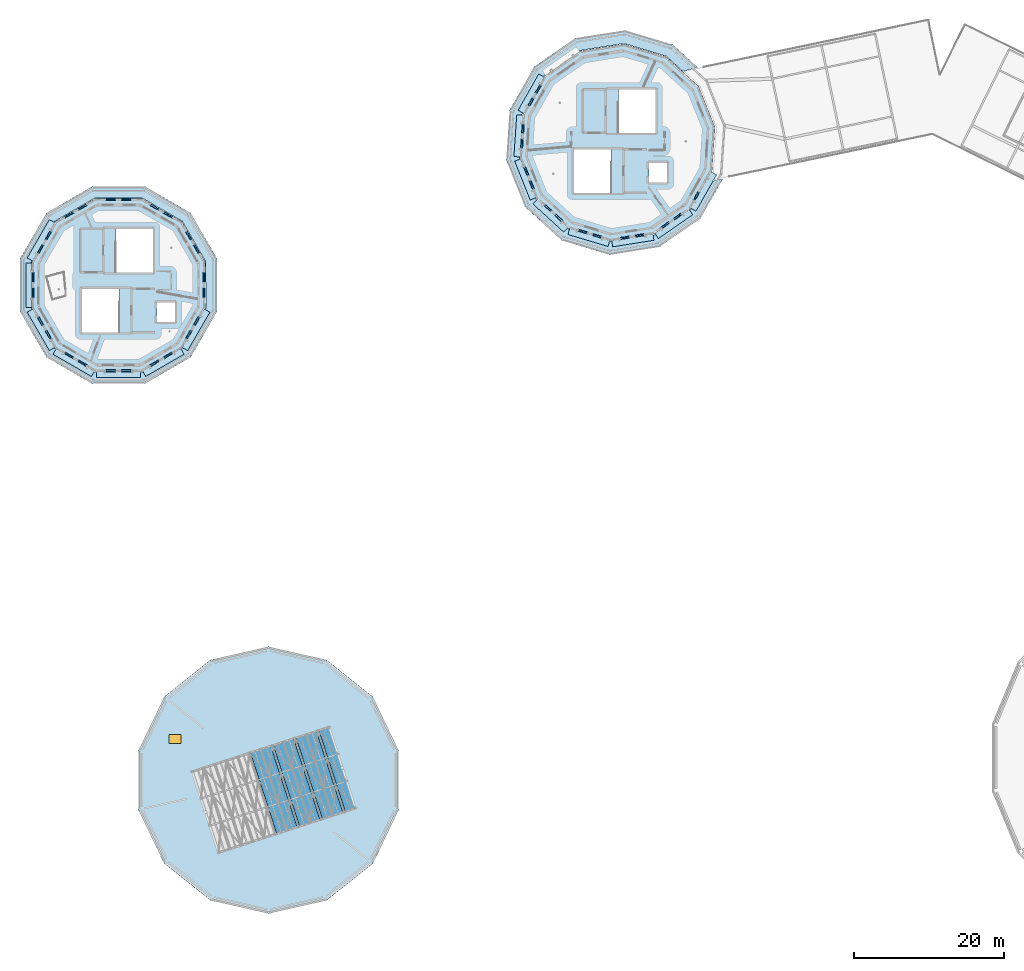
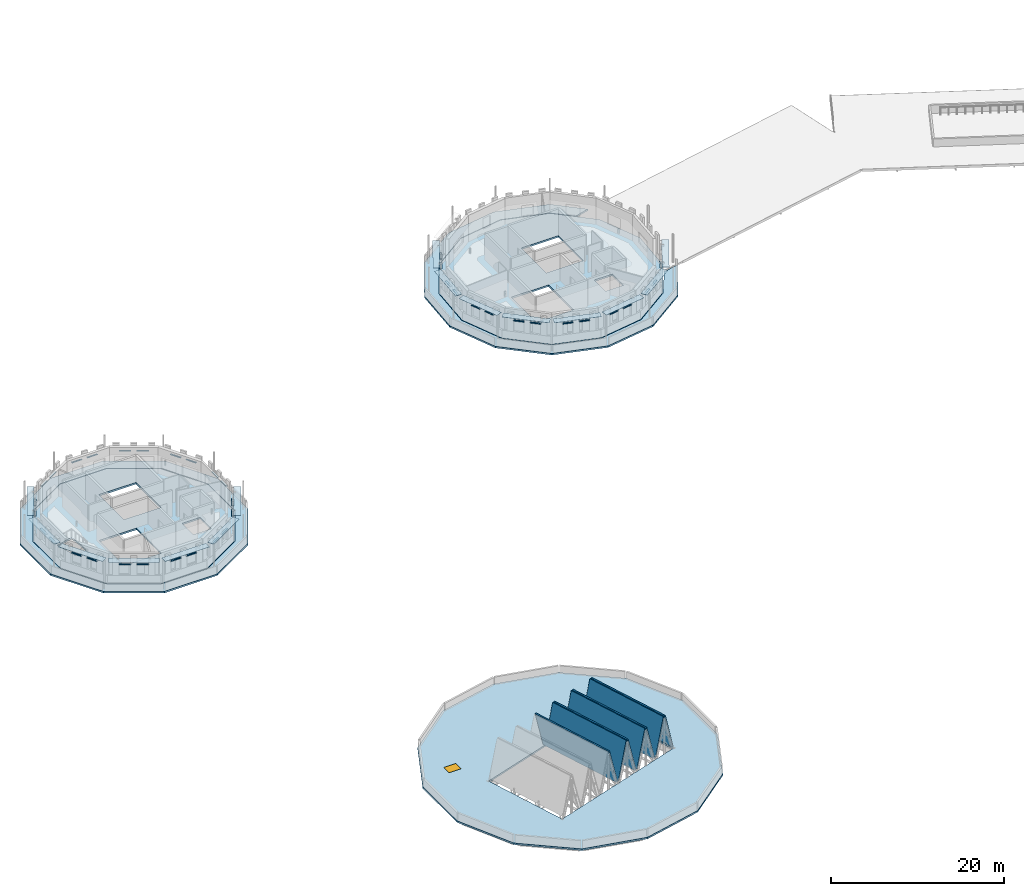
# One storey, part 18 of 51: 54 plates, 12 slabs, 1 window, 1 opening.
"""IFC4 building model written with IfcOpenShell, lengths in metres."""

from ifc_helpers import new_model, si_unit, direction, frame, origin, origin_2d, place, context, subcontext, project, spatial, polyline, rectangle, outline, extrude, material, layer, layer_set, type_object, element, fill, save


model = new_model("IFC4")

# Units and contexts
model_context = context("Model", 3, precision=1e-05, world=origin(), true_north=direction((0.0, 1.0)))
body_context = subcontext(model_context, "Body", "Model", "MODEL_VIEW")
ifc_project = project(units=[si_unit("LENGTHUNIT", "METRE"), si_unit("AREAUNIT", "SQUARE_METRE"), si_unit("VOLUMEUNIT", "CUBIC_METRE"), si_unit("PLANEANGLEUNIT", "RADIAN"), si_unit("MASSUNIT", "GRAM", prefix="KILO")], contexts=[model_context])

# Site, building, storey
site_placement = place(None, origin())
site = spatial("IfcSite", under=ifc_project, at=site_placement, CompositionType="ELEMENT")
building_placement = place(site_placement, origin())
building = spatial("IfcBuilding", under=site, at=building_placement, Name="Wrenclough Park School", CompositionType="ELEMENT")
storey_placement = place(building_placement, frame((0.0, 0.0, 16.800048828125)))
storey = spatial("IfcBuildingStorey", under=building, at=storey_placement, Name="L04", CompositionType="ELEMENT", Elevation=16.800048828125)

# Plates
ifc_material_1 = material(Name="Anodised architectural aluminium solar shading fin plate", Category="aluminium")
ifc_layer_1 = layer(ifc_material_1, 0.0380859375)
ifc_layer_set_1 = layer_set([ifc_layer_1], Name="Anodised architectural aluminium solar shading fin plate")
plate_type = type_object("IfcPlateType", Name="ENV-PL-BSF", PredefinedType="SHEET", material=ifc_layer_set_1)
for number, where, z_axis, x_axis, name in (
    (1, (26.89990234375, 94.30908203125, 2.60595703125), (0.0, 0.0, 1.0), (-0.499993265922, 0.866029291671, 0.0), "D3 L04 open-bond brick screen tie band 0653"),
    (2, (25.864501953125, 96.10205078125, 2.60595703125), (0.0, 0.0, 1.0), (-0.499993265922, 0.866029291671, 0.0), "D3 L04 open-bond brick screen tie band 0654"),
    (3, (23.10205078125, 98.86474609375, 2.60595703125), (0.0, 0.0, 1.0), (-0.866029291671, 0.499993265922, 0.0), "D3 L04 open-bond brick screen tie band 0655"),
    (4, (21.30908203125, 99.89990234375, 2.60595703125), (0.0, 0.0, 1.0), (-0.866029291671, 0.499993265922, 0.0), "D3 L04 open-bond brick screen tie band 0656"),
    (5, (17.53515625, 100.9111328125, 2.60595703125), (0.0, 0.0, 1.0), (-1.0, 0.0, 0.0), "D3 L04 open-bond brick screen tie band 0657"),
    (6, (15.46484375, 100.9111328125, 2.60595703125), (0.0, 0.0, 1.0), (-1.0, 0.0, 0.0), "D3 L04 open-bond brick screen tie band 0658"),
    (7, (11.69091796875, 99.89990234375, 2.60595703125), (0.0, 0.0, 1.0), (-0.866029291671, -0.499993265922, 0.0), "D3 L04 open-bond brick screen tie band 0659"),
    (8, (9.89794921875, 98.86474609375, 2.60595703125), (0.0, 0.0, 1.0), (-0.866029291671, -0.499993265922, 0.0), "D3 L04 open-bond brick screen tie band 0660"),
    (9, (7.13525390625, 96.10205078125, 2.60595703125), (0.0, 0.0, 1.0), (-0.499993265922, -0.866029291671, 0.0), "D3 L04 open-bond brick screen tie band 0661"),
    (10, (6.10009765625, 94.30908203125, 2.60595703125), (0.0, 0.0, 1.0), (-0.499993265922, -0.866029291671, 0.0), "D3 L04 open-bond brick screen tie band 0662"),
):
    element("IfcPlate", number, at=place(storey_placement, frame(where, z_axis=z_axis, x_axis=x_axis)), inside=storey, type_object=plate_type, Name=name, PredefinedType="SHEET", context=body_context, shape_type="SweptSolid", body=[
        extrude(rectangle(XDim=1.360595703125, YDim=0.219970703125, at=origin_2d()), origin(), (0.0, 0.0, 1.0), 0.0419921875),
    ])
plate_1_placement = place(storey_placement, frame((6.16943359375, 95.46435546875, 3.5009765625), z_axis=(0.0, 0.0, 1.0), x_axis=(-0.499993265922, -0.866029291671, 0.0)))
element("IfcPlate", 11, at=plate_1_placement, inside=storey, type_object=plate_type, Name="D3 L04 sun-side projecting brise-soleil blade 0119", PredefinedType="SHEET", context=body_context, shape_type="SweptSolid", body=[
    extrude(rectangle(XDim=5.91162109375, YDim=0.85009765625, at=origin_2d()), origin(), (0.0, 0.0, 1.0), 0.0380859375),
])
for number, where, z_axis, x_axis, name in (
    (12, (5.0888671875, 90.53515625, 2.60595703125), (0.0, 0.0, 1.0), (0.0, -1.0, 0.0), "D3 L04 open-bond brick screen tie band 0663"),
    (13, (5.0888671875, 88.46484375, 2.60595703125), (0.0, 0.0, 1.0), (0.0, -1.0, 0.0), "D3 L04 open-bond brick screen tie band 0664"),
):
    element("IfcPlate", number, at=place(storey_placement, frame(where, z_axis=z_axis, x_axis=x_axis)), inside=storey, type_object=plate_type, Name=name, PredefinedType="SHEET", context=body_context, shape_type="SweptSolid", body=[
        extrude(rectangle(XDim=1.360595703125, YDim=0.219970703125, at=origin_2d()), origin(), (0.0, 0.0, 1.0), 0.0419921875),
    ])
plate_2_placement = place(storey_placement, frame((4.5712890625, 89.5, 3.5009765625), z_axis=(0.0, 0.0, 1.0), x_axis=(0.0, -1.0, 0.0)))
element("IfcPlate", 14, at=plate_2_placement, inside=storey, type_object=plate_type, Name="D3 L04 sun-side projecting brise-soleil blade 0120", PredefinedType="SHEET", context=body_context, shape_type="SweptSolid", body=[
    extrude(rectangle(XDim=5.91162109375, YDim=0.85009765625, at=origin_2d()), origin(), (0.0, 0.0, 1.0), 0.0380859375),
])
for number, where, z_axis, x_axis, name in (
    (15, (6.10009765625, 84.69091796875, 2.60595703125), (0.0, 0.0, 1.0), (0.499993265922, -0.866029291671, 0.0), "D3 L04 open-bond brick screen tie band 0665"),
    (16, (7.13525390625, 82.89794921875, 2.60595703125), (0.0, 0.0, 1.0), (0.499993265922, -0.866029291671, 0.0), "D3 L04 open-bond brick screen tie band 0666"),
):
    element("IfcPlate", number, at=place(storey_placement, frame(where, z_axis=z_axis, x_axis=x_axis)), inside=storey, type_object=plate_type, Name=name, PredefinedType="SHEET", context=body_context, shape_type="SweptSolid", body=[
        extrude(rectangle(XDim=1.360595703125, YDim=0.219970703125, at=origin_2d()), origin(), (0.0, 0.0, 1.0), 0.0419921875),
    ])
plate_3_placement = place(storey_placement, frame((6.16943359375, 83.53564453125, 3.5009765625), z_axis=(0.0, 0.0, 1.0), x_axis=(0.499993265922, -0.866029291671, 0.0)))
element("IfcPlate", 17, at=plate_3_placement, inside=storey, type_object=plate_type, Name="D3 L04 sun-side projecting brise-soleil blade 0121", PredefinedType="SHEET", context=body_context, shape_type="SweptSolid", body=[
    extrude(rectangle(XDim=5.91162109375, YDim=0.85009765625, at=origin_2d()), origin(), (0.0, 0.0, 1.0), 0.0380859375),
])
for number, where, z_axis, x_axis, name in (
    (18, (9.89794921875, 80.13525390625, 2.60595703125), (0.0, 0.0, 1.0), (0.866029291671, -0.499993265922, 0.0), "D3 L04 open-bond brick screen tie band 0667"),
    (19, (11.69091796875, 79.10009765625, 2.60595703125), (0.0, 0.0, 1.0), (0.866029291671, -0.499993265922, 0.0), "D3 L04 open-bond brick screen tie band 0668"),
):
    element("IfcPlate", number, at=place(storey_placement, frame(where, z_axis=z_axis, x_axis=x_axis)), inside=storey, type_object=plate_type, Name=name, PredefinedType="SHEET", context=body_context, shape_type="SweptSolid", body=[
        extrude(rectangle(XDim=1.360595703125, YDim=0.219970703125, at=origin_2d()), origin(), (0.0, 0.0, 1.0), 0.0419921875),
    ])
plate_4_placement = place(storey_placement, frame((10.53564453125, 79.16943359375, 3.5009765625), z_axis=(0.0, 0.0, 1.0), x_axis=(0.866029291671, -0.499993265922, 0.0)))
element("IfcPlate", 20, at=plate_4_placement, inside=storey, type_object=plate_type, Name="D3 L04 sun-side projecting brise-soleil blade 0122", PredefinedType="SHEET", context=body_context, shape_type="SweptSolid", body=[
    extrude(rectangle(XDim=5.91162109375, YDim=0.85009765625, at=origin_2d()), origin(), (0.0, 0.0, 1.0), 0.0380859375),
])
for number, where, z_axis, x_axis, name in (
    (21, (15.46484375, 78.0888671875, 2.60595703125), (0.0, 0.0, 1.0), (1.0, 0.0, 0.0), "D3 L04 open-bond brick screen tie band 0669"),
    (22, (17.53515625, 78.0888671875, 2.60595703125), (0.0, 0.0, 1.0), (1.0, 0.0, 0.0), "D3 L04 open-bond brick screen tie band 0670"),
):
    element("IfcPlate", number, at=place(storey_placement, frame(where, z_axis=z_axis, x_axis=x_axis)), inside=storey, type_object=plate_type, Name=name, PredefinedType="SHEET", context=body_context, shape_type="SweptSolid", body=[
        extrude(rectangle(XDim=1.360595703125, YDim=0.219970703125, at=origin_2d()), origin(), (0.0, 0.0, 1.0), 0.0419921875),
    ])
plate_5_placement = place(storey_placement, frame((16.5, 77.5712890625, 3.5009765625), z_axis=(0.0, 0.0, 1.0), x_axis=(1.0, 0.0, 0.0)))
element("IfcPlate", 23, at=plate_5_placement, inside=storey, type_object=plate_type, Name="D3 L04 sun-side projecting brise-soleil blade 0123", PredefinedType="SHEET", context=body_context, shape_type="SweptSolid", body=[
    extrude(rectangle(XDim=5.91162109375, YDim=0.85009765625, at=origin_2d()), origin(), (0.0, 0.0, 1.0), 0.0380859375),
])
for number, where, z_axis, x_axis, name in (
    (24, (21.30908203125, 79.10009765625, 2.60595703125), (0.0, 0.0, 1.0), (0.866029291671, 0.499993265922, 0.0), "D3 L04 open-bond brick screen tie band 0671"),
    (25, (23.10205078125, 80.13525390625, 2.60595703125), (0.0, 0.0, 1.0), (0.866029291671, 0.499993265922, 0.0), "D3 L04 open-bond brick screen tie band 0672"),
):
    element("IfcPlate", number, at=place(storey_placement, frame(where, z_axis=z_axis, x_axis=x_axis)), inside=storey, type_object=plate_type, Name=name, PredefinedType="SHEET", context=body_context, shape_type="SweptSolid", body=[
        extrude(rectangle(XDim=1.360595703125, YDim=0.219970703125, at=origin_2d()), origin(), (0.0, 0.0, 1.0), 0.0419921875),
    ])
plate_6_placement = place(storey_placement, frame((22.46435546875, 79.16943359375, 3.5009765625), z_axis=(0.0, 0.0, 1.0), x_axis=(0.866029291671, 0.499993265922, 0.0)))
element("IfcPlate", 26, at=plate_6_placement, inside=storey, type_object=plate_type, Name="D3 L04 sun-side projecting brise-soleil blade 0124", PredefinedType="SHEET", context=body_context, shape_type="SweptSolid", body=[
    extrude(rectangle(XDim=5.91162109375, YDim=0.85009765625, at=origin_2d()), origin(), (0.0, 0.0, 1.0), 0.0380859375),
])
for number, where, z_axis, x_axis, name in (
    (27, (25.864501953125, 82.89794921875, 2.60595703125), (0.0, 0.0, 1.0), (0.499993265922, 0.866029291671, 0.0), "D3 L04 open-bond brick screen tie band 0673"),
    (28, (26.89990234375, 84.69091796875, 2.60595703125), (0.0, 0.0, 1.0), (0.499993265922, 0.866029291671, 0.0), "D3 L04 open-bond brick screen tie band 0674"),
):
    element("IfcPlate", number, at=place(storey_placement, frame(where, z_axis=z_axis, x_axis=x_axis)), inside=storey, type_object=plate_type, Name=name, PredefinedType="SHEET", context=body_context, shape_type="SweptSolid", body=[
        extrude(rectangle(XDim=1.360595703125, YDim=0.219970703125, at=origin_2d()), origin(), (0.0, 0.0, 1.0), 0.0419921875),
    ])
plate_7_placement = place(storey_placement, frame((26.83056640625, 83.53564453125, 3.5009765625), z_axis=(0.0, 0.0, 1.0), x_axis=(0.499993265922, 0.866029291671, 0.0)))
element("IfcPlate", 29, at=plate_7_placement, inside=storey, type_object=plate_type, Name="D3 L04 sun-side projecting brise-soleil blade 0125", PredefinedType="SHEET", context=body_context, shape_type="SweptSolid", body=[
    extrude(rectangle(XDim=5.91162109375, YDim=0.85009765625, at=origin_2d()), origin(), (0.0, 0.0, 1.0), 0.0380859375),
])
for number, where, z_axis, x_axis, name in (
    (30, (27.9111328125, 88.46484375, 2.60595703125), (0.0, 0.0, 1.0), (0.0, 1.0, 0.0), "D3 L04 open-bond brick screen tie band 0675"),
    (31, (27.9111328125, 90.53515625, 2.60595703125), (0.0, 0.0, 1.0), (0.0, 1.0, 0.0), "D3 L04 open-bond brick screen tie band 0676"),
):
    element("IfcPlate", number, at=place(storey_placement, frame(where, z_axis=z_axis, x_axis=x_axis)), inside=storey, type_object=plate_type, Name=name, PredefinedType="SHEET", context=body_context, shape_type="SweptSolid", body=[
        extrude(rectangle(XDim=1.360595703125, YDim=0.219970703125, at=origin_2d()), origin(), (0.0, 0.0, 1.0), 0.0419921875),
    ])
for number, where, z_axis, x_axis, name in (
    (32, (72.447021484375, 115.61376953125, 2.60595703125), (0.0, 0.0, 1.0), (-0.493498687923, -0.869746540676, 0.0), "D4 L04 open-bond brick screen tie band 0687"),
    (33, (71.480712890625, 113.91064453125, 2.60595703125), (0.0, 0.0, 1.0), (-0.493498687923, -0.869746540676, 0.0), "D4 L04 open-bond brick screen tie band 0688"),
):
    element("IfcPlate", number, at=place(storey_placement, frame(where, z_axis=z_axis, x_axis=x_axis)), inside=storey, type_object=plate_type, Name=name, PredefinedType="SHEET", context=body_context, shape_type="SweptSolid", body=[
        extrude(rectangle(XDim=1.248291015625, YDim=0.219970703125, at=origin_2d()), origin(), (0.0, 0.0, 1.0), 0.0419921875),
    ])
plate_8_placement = place(storey_placement, frame((71.513916015625, 115.017578125, 3.5009765625), z_axis=(0.0, 0.0, 1.0), x_axis=(-0.493498687923, -0.869746540676, 0.0)))
element("IfcPlate", 34, at=plate_8_placement, inside=storey, type_object=plate_type, Name="D4 L04 sun-side projecting brise-soleil blade 0127", PredefinedType="SHEET", context=body_context, shape_type="SweptSolid", body=[
    extrude(rectangle(XDim=5.57470703125, YDim=0.85009765625, at=origin_2d()), origin(), (0.0, 0.0, 1.0), 0.0380859375),
])
for number, where, z_axis, x_axis, name in (
    (35, (70.405517578125, 110.330322265625, 2.60595703125), (0.0, 0.0, 1.0), (-0.067273714794, -0.997734557534, 0.0), "D4 L04 open-bond brick screen tie band 0689"),
    (36, (70.273681640625, 108.376708984375, 2.60595703125), (0.0, 0.0, 1.0), (-0.067273714794, -0.997734557534, 0.0), "D4 L04 open-bond brick screen tie band 0690"),
):
    element("IfcPlate", number, at=place(storey_placement, frame(where, z_axis=z_axis, x_axis=x_axis)), inside=storey, type_object=plate_type, Name=name, PredefinedType="SHEET", context=body_context, shape_type="SweptSolid", body=[
        extrude(rectangle(XDim=1.248291015625, YDim=0.219970703125, at=origin_2d()), origin(), (0.0, 0.0, 1.0), 0.0419921875),
    ])
plate_9_placement = place(storey_placement, frame((69.823486328125, 109.388427734375, 3.5009765625), z_axis=(0.0, 0.0, 1.0), x_axis=(-0.067273714794, -0.997734557534, 0.0)))
element("IfcPlate", 37, at=plate_9_placement, inside=storey, type_object=plate_type, Name="D4 L04 sun-side projecting brise-soleil blade 0128", PredefinedType="SHEET", context=body_context, shape_type="SweptSolid", body=[
    extrude(rectangle(XDim=5.574462890625, YDim=0.85009765625, at=origin_2d()), origin(), (0.0, 0.0, 1.0), 0.0380859375),
])
for number, where, z_axis, x_axis, name in (
    (38, (70.858642578125, 104.684814453125, 2.60595703125), (0.0, 0.0, 1.0), (0.372297383376, -0.928113494316, 0.0), "D4 L04 open-bond brick screen tie band 0691"),
    (39, (71.587646484375, 102.8671875, 2.60595703125), (0.0, 0.0, 1.0), (0.372297383376, -0.928113494316, 0.0), "D4 L04 open-bond brick screen tie band 0692"),
):
    element("IfcPlate", number, at=place(storey_placement, frame(where, z_axis=z_axis, x_axis=x_axis)), inside=storey, type_object=plate_type, Name=name, PredefinedType="SHEET", context=body_context, shape_type="SweptSolid", body=[
        extrude(rectangle(XDim=1.248291015625, YDim=0.219970703125, at=origin_2d()), origin(), (0.0, 0.0, 1.0), 0.0419921875),
    ])
plate_10_placement = place(storey_placement, frame((70.742919921875, 103.583251953125, 3.5009765625), z_axis=(0.0, 0.0, 1.0), x_axis=(0.372297383376, -0.928113494316, 0.0)))
element("IfcPlate", 40, at=plate_10_placement, inside=storey, type_object=plate_type, Name="D4 L04 sun-side projecting brise-soleil blade 0129", PredefinedType="SHEET", context=body_context, shape_type="SweptSolid", body=[
    extrude(rectangle(XDim=5.57470703125, YDim=0.85009765625, at=origin_2d()), origin(), (0.0, 0.0, 1.0), 0.0380859375),
])
for number, where, z_axis, x_axis, name in (
    (41, (73.71630859375, 99.794677734375, 2.60595703125), (0.0, 0.0, 1.0), (0.738116484598, -0.674673295133, 0.0), "D4 L04 open-bond brick screen tie band 0693"),
    (42, (75.16162109375, 98.473388671875, 2.60595703125), (0.0, 0.0, 1.0), (0.738116484598, -0.674673295133, 0.0), "D4 L04 open-bond brick screen tie band 0694"),
):
    element("IfcPlate", number, at=place(storey_placement, frame(where, z_axis=z_axis, x_axis=x_axis)), inside=storey, type_object=plate_type, Name=name, PredefinedType="SHEET", context=body_context, shape_type="SweptSolid", body=[
        extrude(rectangle(XDim=1.248291015625, YDim=0.219970703125, at=origin_2d()), origin(), (0.0, 0.0, 1.0), 0.0419921875),
    ])
plate_11_placement = place(storey_placement, frame((74.08984375, 98.751953125, 3.5009765625), z_axis=(0.0, 0.0, 1.0), x_axis=(0.738116484598, -0.674673295133, 0.0)))
element("IfcPlate", 43, at=plate_11_placement, inside=storey, type_object=plate_type, Name="D4 L04 sun-side projecting brise-soleil blade 0130", PredefinedType="SHEET", context=body_context, shape_type="SweptSolid", body=[
    extrude(rectangle(XDim=5.574462890625, YDim=0.85009765625, at=origin_2d()), origin(), (0.0, 0.0, 1.0), 0.0380859375),
])
for number, where, z_axis, x_axis, name in (
    (44, (78.412841796875, 96.628662109375, 2.60595703125), (0.0, 0.0, 1.0), (0.957750821149, -0.287599312567, 0.0), "D4 L04 open-bond brick screen tie band 0695"),
    (45, (80.288330078125, 96.0654296875, 2.60595703125), (0.0, 0.0, 1.0), (0.957750821149, -0.287599312567, 0.0), "D4 L04 open-bond brick screen tie band 0696"),
):
    element("IfcPlate", number, at=place(storey_placement, frame(where, z_axis=z_axis, x_axis=x_axis)), inside=storey, type_object=plate_type, Name=name, PredefinedType="SHEET", context=body_context, shape_type="SweptSolid", body=[
        extrude(rectangle(XDim=1.248046875, YDim=0.219970703125, at=origin_2d()), origin(), (0.0, 0.0, 1.0), 0.0419921875),
    ])
plate_12_placement = place(storey_placement, frame((79.201904296875, 95.851318359375, 3.5009765625), z_axis=(0.0, 0.0, 1.0), x_axis=(0.957750821149, -0.287599312567, 0.0)))
element("IfcPlate", 46, at=plate_12_placement, inside=storey, type_object=plate_type, Name="D4 L04 sun-side projecting brise-soleil blade 0131", PredefinedType="SHEET", context=body_context, shape_type="SweptSolid", body=[
    extrude(rectangle(XDim=5.574462890625, YDim=0.85009765625, at=origin_2d()), origin(), (0.0, 0.0, 1.0), 0.0380859375),
])
for number, where, z_axis, x_axis, name in (
    (47, (84.017822265625, 95.81396484375, 2.60595703125), (0.0, 0.0, 1.0), (0.987688183791, 0.156435455059, 0.0), "D4 L04 open-bond brick screen tie band 0697"),
    (48, (85.951904296875, 96.120361328125, 2.60595703125), (0.0, 0.0, 1.0), (0.987688183791, 0.156435455059, 0.0), "D4 L04 open-bond brick screen tie band 0698"),
):
    element("IfcPlate", number, at=place(storey_placement, frame(where, z_axis=z_axis, x_axis=x_axis)), inside=storey, type_object=plate_type, Name=name, PredefinedType="SHEET", context=body_context, shape_type="SweptSolid", body=[
        extrude(rectangle(XDim=1.248291015625, YDim=0.219970703125, at=origin_2d()), origin(), (0.0, 0.0, 1.0), 0.0419921875),
    ])
plate_13_placement = place(storey_placement, frame((85.06591796875, 95.4560546875, 3.5009765625), z_axis=(0.0, 0.0, 1.0), x_axis=(0.987688183791, 0.156435455059, 0.0)))
element("IfcPlate", 49, at=plate_13_placement, inside=storey, type_object=plate_type, Name="D4 L04 sun-side projecting brise-soleil blade 0132", PredefinedType="SHEET", context=body_context, shape_type="SweptSolid", body=[
    extrude(rectangle(XDim=5.57470703125, YDim=0.85009765625, at=origin_2d()), origin(), (0.0, 0.0, 1.0), 0.0380859375),
])
for number, where, z_axis, x_axis, name in (
    (50, (89.42138671875, 97.51220703125, 2.60595703125), (0.0, 0.0, 1.0), (0.822007690822, 0.569476387771, 0.0), "D4 L04 open-bond brick screen tie band 0699"),
    (51, (91.031005859375, 98.627197265625, 2.60595703125), (0.0, 0.0, 1.0), (0.822007690822, 0.569476387771, 0.0), "D4 L04 open-bond brick screen tie band 0700"),
):
    element("IfcPlate", number, at=place(storey_placement, frame(where, z_axis=z_axis, x_axis=x_axis)), inside=storey, type_object=plate_type, Name=name, PredefinedType="SHEET", context=body_context, shape_type="SweptSolid", body=[
        extrude(rectangle(XDim=1.248046875, YDim=0.219970703125, at=origin_2d()), origin(), (0.0, 0.0, 1.0), 0.0419921875),
    ])
plate_14_placement = place(storey_placement, frame((90.52099609375, 97.644287109375, 3.5009765625), z_axis=(0.0, 0.0, 1.0), x_axis=(0.822007690822, 0.569476387771, 0.0)))
element("IfcPlate", 52, at=plate_14_placement, inside=storey, type_object=plate_type, Name="D4 L04 sun-side projecting brise-soleil blade 0133", PredefinedType="SHEET", context=body_context, shape_type="SweptSolid", body=[
    extrude(rectangle(XDim=5.574462890625, YDim=0.85009765625, at=origin_2d()), origin(), (0.0, 0.0, 1.0), 0.0380859375),
])
plate_15_placement = place(storey_placement, frame((93.552978515625, 101.38623046875, 2.60595703125), z_axis=(0.0, 0.0, 1.0), x_axis=(0.493498687923, 0.869746540676, 0.0)))
element("IfcPlate", 53, at=plate_15_placement, inside=storey, type_object=plate_type, Name="D4 L04 open-bond brick screen tie band 0701", PredefinedType="SHEET", context=body_context, shape_type="SweptSolid", body=[
    extrude(rectangle(XDim=1.248291015625, YDim=0.219970703125, at=origin_2d()), origin(), (0.0, 0.0, 1.0), 0.0419921875),
])
plate_16_placement = place(storey_placement, frame((94.486083984375, 101.982421875, 3.5009765625), z_axis=(0.0, 0.0, 1.0), x_axis=(0.493498687923, 0.869746540676, 0.0)))
element("IfcPlate", 54, at=plate_16_placement, inside=storey, type_object=plate_type, Name="D4 L04 sun-side projecting brise-soleil blade 0134", PredefinedType="SHEET", context=body_context, shape_type="SweptSolid", body=[
    extrude(rectangle(XDim=5.57470703125, YDim=0.85009765625, at=origin_2d()), origin(), (0.0, 0.0, 1.0), 0.0380859375),
])

# Slabs
ifc_material_2 = material(Name="Concrete C32/40", Category="concrete")
ifc_layer_2 = layer(ifc_material_2, 0.239990234375)
ifc_layer_set_2 = layer_set([ifc_layer_2], Name="Concrete C32/40")
slab_type_1 = type_object("IfcSlabType", Name="STR-SL-FL240", PredefinedType="FLOOR", material=ifc_layer_set_2)
slab_1_placement = place(storey_placement, frame((0.0, 0.0, -0.239990234375)))
element("IfcSlab", 55, at=slab_1_placement, inside=storey, type_object=slab_type_1, Name="D3 L04 structural slab SLAB-D3-L04", PredefinedType="FLOOR", context=body_context, shape_type="SweptSolid", body=[
    extrude(outline(polyline([(28.091064453125, 92.605712890625), (24.9853515625, 97.9853515625), (19.605712890625, 101.091064453125), (13.394287109375, 101.091064453125), (8.0146484375, 97.9853515625), (4.908935546875, 92.605712890625), (4.908935546875, 86.394287109375), (8.0146484375, 81.0146484375), (13.394287109375, 77.908935546875), (19.605712890625, 77.908935546875), (24.9853515625, 81.0146484375), (28.091064453125, 86.394287109375), (28.091064453125, 92.605712890625)]), holes=[polyline([(7.7392578125, 87.662841796875), (9.35009765625, 88.094482421875), (9.35009765625, 88.949951171875), (9.14990234375, 91.146728515625), (6.962890625, 90.560791015625), (7.7392578125, 87.662841796875)]), polyline([(11.60009765625, 83.199951171875), (16.552001953125, 83.199951171875), (16.552001953125, 89.0), (11.60009765625, 89.0), (11.60009765625, 83.199951171875)]), polyline([(21.60009765625, 84.60009765625), (24.0, 84.60009765625), (24.0, 87.199951171875), (21.60009765625, 87.199951171875), (21.60009765625, 84.60009765625)]), polyline([(16.14794921875, 91.199951171875), (21.10009765625, 91.199951171875), (21.10009765625, 97.0), (16.14794921875, 97.0), (16.14794921875, 91.199951171875)])]), origin(), (0.0, 0.0, 1.0), 0.239990234375),
])
slab_2_placement = place(storey_placement, frame((0.0, 0.0, -0.239990234375)))
element("IfcSlab", 56, at=slab_2_placement, inside=storey, type_object=slab_type_1, Name="D4 L04 structural slab SLAB-D4-L04", PredefinedType="FLOOR", context=body_context, shape_type="SweptSolid", body=[
    extrude(outline(polyline([(96.03759765625, 110.56494140625), (93.850341796875, 116.01708984375), (89.514404296875, 119.980712890625), (83.887939453125, 121.670166015625), (78.085693359375, 120.751220703125), (73.2568359375, 117.40576171875), (70.357666015625, 112.29638671875), (69.96240234375, 106.43505859375), (72.149658203125, 100.98291015625), (76.485595703125, 97.019287109375), (82.112060546875, 95.329833984375), (87.914306640625, 96.248779296875), (92.7431640625, 99.59423828125), (95.642333984375, 104.70361328125), (96.03759765625, 110.56494140625)]), holes=[polyline([(77.199951171875, 101.800048828125), (82.152099609375, 101.800048828125), (82.152099609375, 107.60009765625), (77.199951171875, 107.60009765625), (77.199951171875, 101.800048828125)]), polyline([(87.199951171875, 103.199951171875), (89.60009765625, 103.199951171875), (89.60009765625, 105.800048828125), (87.199951171875, 105.800048828125), (87.199951171875, 103.199951171875)]), polyline([(83.14794921875, 109.800048828125), (88.10009765625, 109.800048828125), (88.10009765625, 115.60009765625), (83.14794921875, 115.60009765625), (83.14794921875, 109.800048828125)])]), origin(), (0.0, 0.0, 1.0), 0.239990234375),
])
ifc_layer_3 = layer(ifc_material_2, 0.1650390625)
ifc_layer_set_3 = layer_set([ifc_layer_3], Name="Concrete C32/40")
slab_type_2 = type_object("IfcSlabType", Name="STR-SL-RF165", PredefinedType="ROOF", material=ifc_layer_set_3)
slab_3_placement = place(storey_placement, frame((37.6064453125, 16.3388671875, 5.34228515625), z_axis=(0.918945675058, 0.298579486932, 0.25766089396), x_axis=(0.245049101055, 0.079624583925, -0.966235408018)))
element("IfcSlab", 57, at=slab_3_placement, inside=storey, type_object=slab_type_2, Name="D2 folded-plate roof bay 3 east facet", PredefinedType="ROOF", context=body_context, shape_type="SweptSolid", body=[
    extrude(outline(polyline([(0.0, 0.0), (5.218444364002344, -1.3609108956945393e-16), (5.218482216493899, 11.399737301510335), (5.729208724014612e-05, 11.3999694932632), (0.0, 0.0)])), origin(), (0.0, 0.0, -1.0), 0.1650390625),
])
slab_4_placement = place(storey_placement, frame((39.03759765625, 16.8037109375, 0.300048828125), z_axis=(-0.918938869981, -0.29859460681, 0.257667642558), x_axis=(0.245055519331, 0.079626669321, 0.966233608388)))
element("IfcSlab", 58, at=slab_4_placement, inside=storey, type_object=slab_type_2, Name="D2 folded-plate roof bay 4 west facet", PredefinedType="ROOF", context=body_context, shape_type="SweptSolid", body=[
    extrude(outline(polyline([(0.0, 0.0), (5.218444364129628, 7.56163252672859e-17), (5.218441828463782, 11.400044937735098), (-2.5356658454045444e-06, 11.400044937735096), (0.0, 0.0)])), origin(), (0.0, 0.0, -1.0), 0.1650390625),
])
for number, where, z_axis, x_axis, name in (
    (59, (40.64990234375, 17.32763671875, 5.34228515625), (0.918944951472, 0.29857589013, 0.257667642512), (0.245055519331, 0.079626669321, -0.966233608388), "D2 folded-plate roof bay 4 east facet"),
    (60, (42.080810546875, 17.79248046875, 0.300048828125), (-0.918944951472, -0.29857589013, 0.257667642512), (0.245055519331, 0.079626669321, 0.966233608388), "D2 folded-plate roof bay 5 west facet"),
):
    element("IfcSlab", number, at=place(storey_placement, frame(where, z_axis=z_axis, x_axis=x_axis)), inside=storey, type_object=slab_type_2, Name=name, PredefinedType="ROOF", context=body_context, shape_type="SweptSolid", body=[
        extrude(outline(polyline([(0.0, 0.0), (5.218444364129628, 3.710343122152737e-17), (5.218501656471431, 11.399969493321462), (5.729234180362752e-05, 11.399969493321464), (0.0, 0.0)])), origin(), (0.0, 0.0, -1.0), 0.1650390625),
    ])
for number, where, z_axis, x_axis, name in (
    (61, (43.693359375, 18.31640625, 5.34228515625), (0.918938869981, 0.29859460681, 0.257667642558), (0.245055519331, 0.079626669321, -0.966233608388), "D2 folded-plate roof bay 5 east facet"),
    (62, (45.124267578125, 18.781494140625, 0.300048828125), (-0.918938869981, -0.29859460681, 0.257667642558), (0.245055519331, 0.079626669321, 0.966233608388), "D2 folded-plate roof bay 6 west facet"),
):
    element("IfcSlab", number, at=place(storey_placement, frame(where, z_axis=z_axis, x_axis=x_axis)), inside=storey, type_object=slab_type_2, Name=name, PredefinedType="ROOF", context=body_context, shape_type="SweptSolid", body=[
        extrude(outline(polyline([(0.0, 0.0), (5.218444364129628, 7.56163252672859e-17), (5.218441828463782, 11.400044937735098), (-2.5356658454045444e-06, 11.400044937735096), (0.0, 0.0)])), origin(), (0.0, 0.0, -1.0), 0.1650390625),
    ])
slab_5_placement = place(storey_placement, frame((46.73681640625, 19.305419921875, 5.34228515625), z_axis=(0.918949877755, 0.298584475418, 0.257640123453), x_axis=(0.245038629188, 0.079589597862, -0.966240946202)))
element("IfcSlab", 63, at=slab_5_placement, inside=storey, type_object=slab_type_2, Name="D2 folded-plate roof bay 6 east facet", PredefinedType="ROOF", context=body_context, shape_type="SweptSolid", body=[
    extrude(outline(polyline([(0.0, 0.0), (5.218365104720706, 8.242647016321047e-17), (5.218099396834375, 11.400201681733387), (-0.0003449628245759673, 11.400044931547303), (0.0, 0.0)])), origin(), (0.0, 0.0, -1.0), 0.1650390625),
])

# Slab, opening, window
ifc_layer_4 = layer(ifc_material_2, 0.22509765625)
ifc_layer_set_4 = layer_set([ifc_layer_4], Name="Concrete C32/40")
slab_type_3 = type_object("IfcSlabType", Name="STR-SL-RF225", PredefinedType="ROOF", material=ifc_layer_set_4)
slab_6_placement = place(storey_placement, frame((0.0, 0.0, -0.22509765625)))
slab_6 = element("IfcSlab", 64, at=slab_6_placement, inside=storey, type_object=slab_type_3, Name="D2 L04 structural slab SLAB-D2-ROOF-RING", PredefinedType="ROOF", context=body_context, shape_type="SweptSolid", body=[
    extrude(outline(polyline([(53.853759765625, 27.460693359375), (50.41650390625, 34.59814453125), (44.22314453125, 39.537109375), (36.5, 41.300048828125), (28.77685546875, 39.537353515625), (22.58349609375, 34.59814453125), (19.146240234375, 27.4609375), (19.146240234375, 19.539306640625), (22.58349609375, 12.40185546875), (28.77685546875, 7.462890625), (36.5, 5.699951171875), (44.22314453125, 7.462646484375), (50.41650390625, 12.40185546875), (53.853759765625, 19.5390625), (53.853759765625, 27.460693359375)]), holes=[polyline([(48.091552734375, 19.74560546875), (44.568603515625, 30.587646484375), (26.30859375, 24.654541015625), (29.831298828125, 13.8125), (48.091552734375, 19.74560546875)])]), origin(), (0.0, 0.0, 1.0), 0.22509765625),
])
opening_placement = place(slab_6_placement, frame((24.0, 29.0, -0.010009765625)))
opening = element("IfcOpeningElement", 65, at=opening_placement, cuts=slab_6, Name="Opening SK-06", PredefinedType="OPENING", context=body_context, shape_type="SweptSolid", body=[
    extrude(rectangle(XDim=1.60009765625, YDim=1.199951171875, at=origin_2d()), origin(), (0.0, 0.0, 1.0), 0.2451171875),
])
ifc_material_3 = material(Name="Thermally broken aluminium skylight glazing", Category="aluminium")
window_type = type_object("IfcWindowType", Name="ENV-SK-06", PartitioningType="SINGLE_PANEL", PredefinedType="SKYLIGHT", material=ifc_material_3)
placement = place(slab_6_placement, frame((24.0, 29.0, 0.0)))
window_placement = place(placement, frame((0.0, 0.0, 0.175048828125)))
window = element("IfcWindow", 66, at=window_placement, inside=storey, type_object=window_type, Name="Roof skylight or access hatch RH-D2-1", OverallHeight=1.199951171875, OverallWidth=1.60009765625, PartitioningType="SINGLE_PANEL", PredefinedType="SKYLIGHT", context=body_context, shape_type="SweptSolid", body=[
    extrude(rectangle(XDim=1.60009765625, YDim=1.199951171875, at=origin_2d()), origin(), (0.0, 0.0, 1.0), 0.050048828125),
])
fill(opening, window)

# Slabs
slab_7_placement = place(storey_placement, frame((0.0, 0.0, -0.22509765625)))
element("IfcSlab", 67, at=slab_7_placement, inside=storey, type_object=slab_type_3, Name="D3 L04 structural slab SLAB-D3-STEP-ROOF", PredefinedType="ROOF", context=body_context, shape_type="SweptSolid", body=[
    extrude(outline(polyline([(29.63671875, 93.02001953125), (26.11669921875, 99.11669921875), (20.02001953125, 102.63671875), (12.97998046875, 102.63671875), (6.88330078125, 99.11669921875), (3.36328125, 93.02001953125), (3.36328125, 85.97998046875), (6.88330078125, 79.88330078125), (12.97998046875, 76.36328125), (20.02001953125, 76.36328125), (26.11669921875, 79.88330078125), (29.63671875, 85.97998046875), (29.63671875, 93.02001953125)]), holes=[polyline([(19.625732421875, 101.125732421875), (13.374267578125, 101.125732421875), (7.985107421875, 98.01220703125), (4.870849609375, 92.6181640625), (4.874267578125, 86.374267578125), (7.98779296875, 80.985107421875), (13.3818359375, 77.870849609375), (19.625732421875, 77.874267578125), (25.014892578125, 80.98779296875), (28.129150390625, 86.3818359375), (28.125732421875, 92.625732421875), (25.014892578125, 98.01220703125), (19.625732421875, 101.125732421875)])]), origin(), (0.0, 0.0, 1.0), 0.22509765625),
])
slab_8_placement = place(storey_placement, frame((0.0, 0.0, -0.22509765625)))
element("IfcSlab", 68, at=slab_8_placement, inside=storey, type_object=slab_type_3, Name="D4 L04 structural slab SLAB-D4-STEP-ROOF", PredefinedType="ROOF", context=body_context, shape_type="SweptSolid", body=[
    extrude(outline(polyline([(93.706787109375, 118.526123046875), (90.402587890625, 121.546142578125), (84.009033203125, 123.466064453125), (77.41552734375, 122.421630859375), (71.92822265625, 118.6201171875), (68.6337890625, 112.81396484375), (68.184814453125, 106.153564453125), (70.669921875, 99.957763671875), (75.597412109375, 95.453857421875), (81.990966796875, 93.533935546875), (88.58447265625, 94.578369140625), (94.07177734375, 98.3798828125), (97.0673828125, 103.6591796875), (95.052001953125, 103.238037109375), (92.771484375, 99.56591796875), (87.927490234375, 96.211181640625), (82.111083984375, 95.289794921875), (76.47412109375, 96.981201171875), (72.117919921875, 100.95849609375), (69.922607421875, 106.43408203125), (70.31884765625, 112.30615234375), (73.221923828125, 117.42529296875), (78.069091796875, 120.78759765625), (83.892578125, 121.709716796875), (89.532470703125, 120.01611328125), (91.751953125, 117.989501953125), (93.706787109375, 118.526123046875)])), origin(), (0.0, 0.0, 1.0), 0.22509765625),
])

save(model, "model.ifc")
